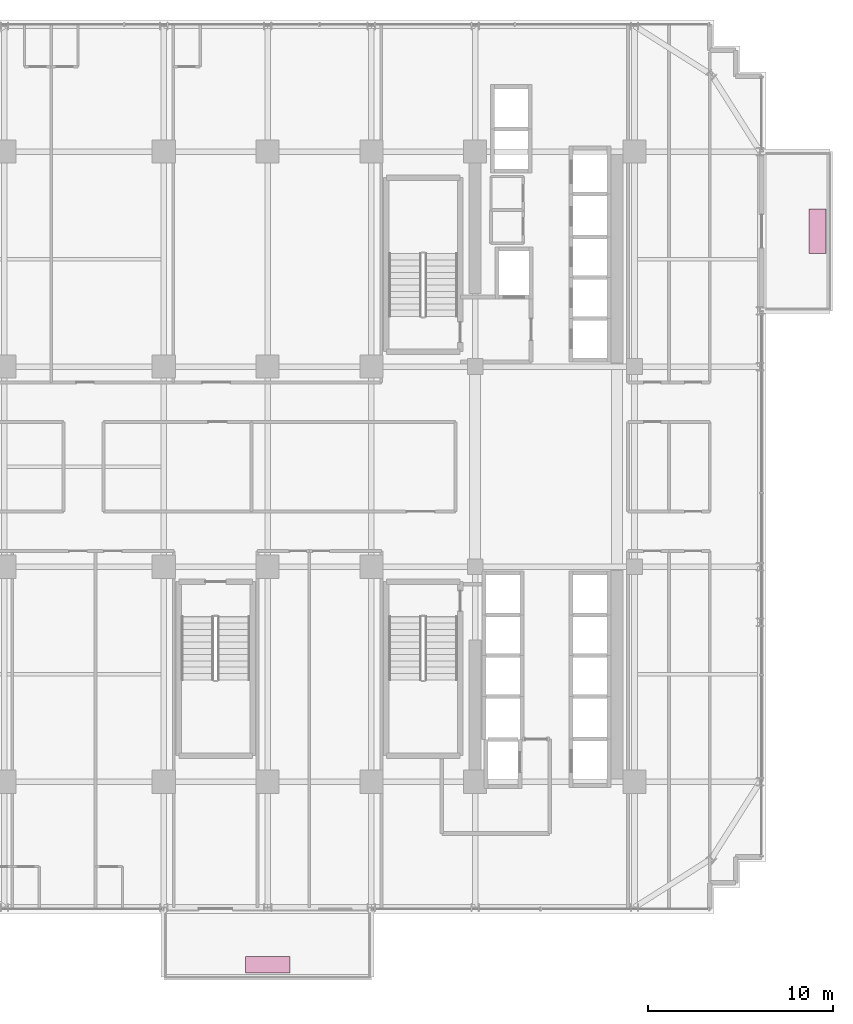
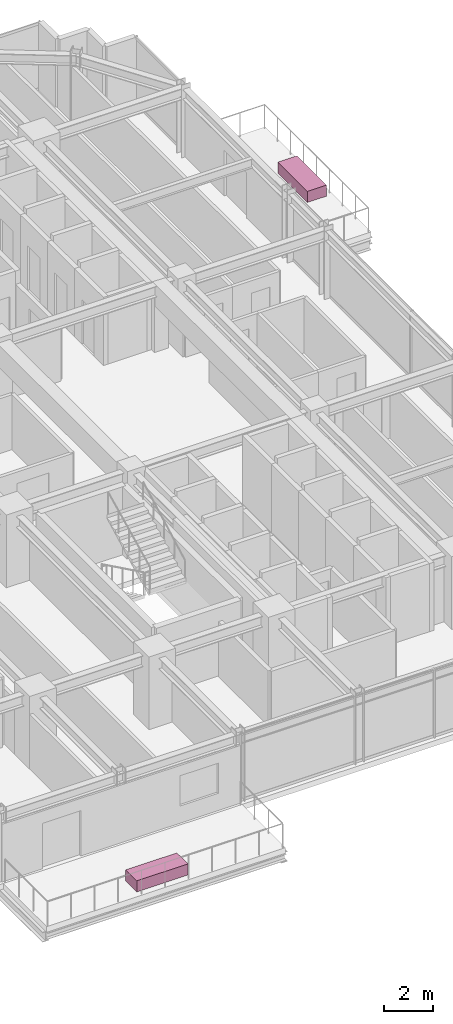
# One storey, part 33 of 33: 2 furnishings.
"""IFC4 building model written with IfcOpenShell, lengths in metres."""

from ifc_helpers import new_model, si_unit, direction, frame, origin, origin_2d, place, context, subcontext, project, spatial, rectangle, extrude, source, transform, mapped, material, type_object, element, save


model = new_model("IFC4")

# Units and contexts
model_context = context("Model", 3, precision=1e-05, world=origin(), true_north=direction((0.0, 1.0)))
body_context = subcontext(model_context, "Body", "Model", "MODEL_VIEW")
ifc_project = project(units=[si_unit("LENGTHUNIT", "METRE"), si_unit("AREAUNIT", "SQUARE_METRE"), si_unit("VOLUMEUNIT", "CUBIC_METRE"), si_unit("PLANEANGLEUNIT", "RADIAN"), si_unit("MASSUNIT", "GRAM", prefix="KILO")], contexts=[model_context])

# Site, building, storey
site_placement = place(None, origin())
site = spatial("IfcSite", under=ifc_project, at=site_placement, CompositionType="ELEMENT")
building_placement = place(site_placement, origin())
building = spatial("IfcBuilding", under=site, at=building_placement, Name="Nahalor Promenade Grand Hotel", CompositionType="ELEMENT")
storey_placement = place(building_placement, frame((0.0, 0.0, 117.5)))
storey = spatial("IfcBuildingStorey", under=building, at=storey_placement, Name="L29", CompositionType="ELEMENT", Elevation=117.5)

# Furnishings
ifc_material = material(Name="Vegetated Volcanic-Lapilli Tree Planter", Category="earth")
furnishing_element_type = type_object("IfcFurnishingElementType", Name="Planter-VerticalForest-Box", material=ifc_material)
shared_shape = source(origin(), body_context, "Body", "SweptSolid", [
    extrude(rectangle(XDim=2.39990234375, YDim=0.89990234375, at=origin_2d()), origin(), (0.0, 0.0, 1.0), 0.550048828125),
])
for number, where, z_axis, x_axis, name in (
    (1, (-2.800048828125, -26.8798828125, 0.0), (0.0, 0.0, 1.0), (1.0, 0.0, 0.0), "L29 Balcony Structural Tree Planter 1"),
    (2, (26.8701171875, 12.699951171875, 0.0), (0.0, 0.0, 1.0), (0.0, 1.0, 0.0), "L29 Balcony Structural Tree Planter 2"),
):
    element("IfcFurnishingElement", number, at=place(storey_placement, frame(where, z_axis=z_axis, x_axis=x_axis)), inside=storey, type_object=furnishing_element_type, Name=name, ObjectType="PLANTER", context=body_context, shape_type="MappedRepresentation", body=[
        mapped(shared_shape, transform((0.0, 0.0, 0.0), scale=1.0)),
    ])

save(model, "model.ifc")
